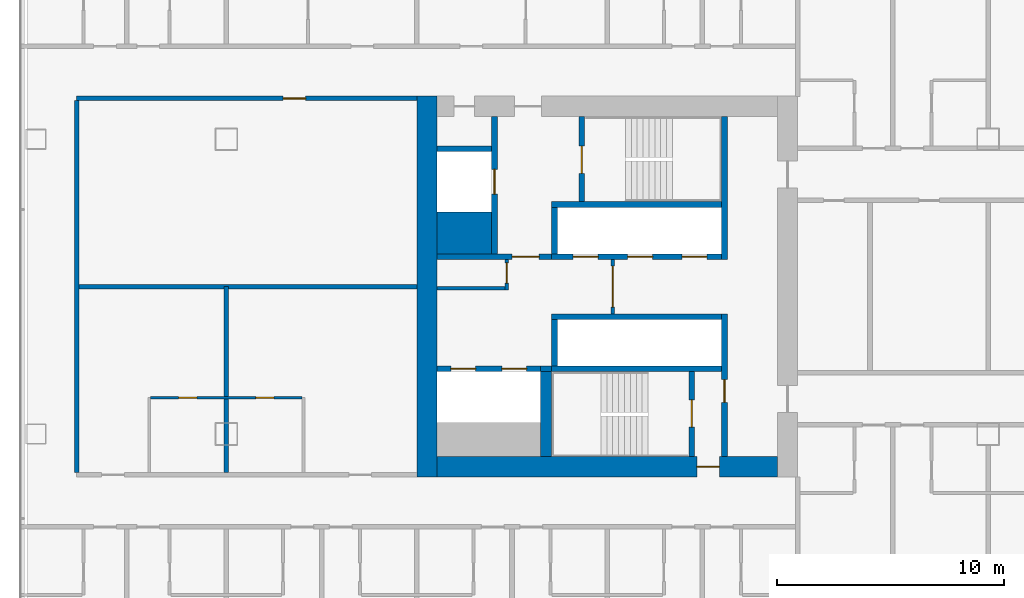
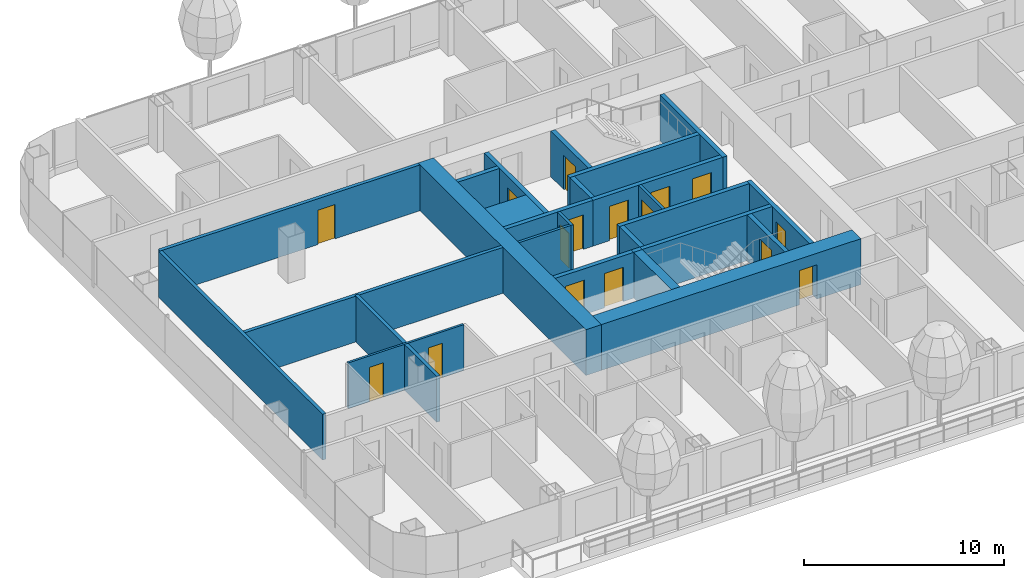
# One storey, part 14 of 37: 27 walls, 16 doors, 16 openings.
"""IFC4 building model written with IfcOpenShell, lengths in metres."""

from ifc_helpers import new_model, si_unit, direction, frame, frame_2d, origin, place, context, subcontext, project, spatial, rectangle, extrude, material, layer, layer_set, type_object, element, fill, save


model = new_model("IFC4")

# Units and contexts
model_context = context("Model", 3, precision=1e-05, world=origin(), true_north=direction((0.0, 1.0)))
body_context = subcontext(model_context, "Body", "Model", "MODEL_VIEW")
ifc_project = project(units=[si_unit("LENGTHUNIT", "METRE"), si_unit("AREAUNIT", "SQUARE_METRE"), si_unit("VOLUMEUNIT", "CUBIC_METRE"), si_unit("PLANEANGLEUNIT", "RADIAN"), si_unit("MASSUNIT", "GRAM", prefix="KILO")], contexts=[model_context])

# Site, building, storey
site_placement = place(None, origin())
site = spatial("IfcSite", under=ifc_project, at=site_placement, CompositionType="ELEMENT")
building_placement = place(site_placement, origin())
building = spatial("IfcBuilding", under=site, at=building_placement, Name="Hakoniwa Tower and Hamabe Station Hall", CompositionType="ELEMENT")
storey_placement = place(building_placement, frame((0.0, 0.0, 39.0)))
storey = spatial("IfcBuildingStorey", under=building, at=storey_placement, Name="L10", CompositionType="ELEMENT", Elevation=39.0)

# Wall, openings, doors
ifc_material_1 = material(Name="Gypsum board partition", Category="gypsum")
ifc_layer_1 = layer(ifc_material_1, 0.125)
ifc_layer_set_1 = layer_set([ifc_layer_1], Name="Bathroom Partition 125")
wall_type_1 = type_object("IfcWallType", Name="Bathroom Partition 125", PredefinedType="PARTITIONING", material=ifc_layer_set_1)
wall_1_placement = place(storey_placement, frame((-45.33740234375, -4.89990234375, 0.0), z_axis=(0.0, 0.0, 1.0), x_axis=(1.0, 0.0, 0.0)))
wall_1 = element("IfcWall", 1, at=wall_1_placement, inside=storey, type_object=wall_type_1, Name="GW-L10-023", PredefinedType="PARTITIONING", context=body_context, shape_type="SweptSolid", body=[
    extrude(rectangle(XDim=6.6748046875, YDim=0.125, at=frame_2d((3.33740234375, 0.0))), origin(), (0.0, 0.0, 1.0), 2.800048828125),
])
opening_1_placement = place(wall_1_placement, frame((1.237548828125, 0.0, 0.0)))
opening_1 = element("IfcOpeningElement", 2, at=opening_1_placement, cuts=wall_1, Name="Opening GD-G1B1-31", PredefinedType="OPENING", context=body_context, shape_type="SweptSolid", body=[
    extrude(rectangle(XDim=0.800048828125, YDim=2.10009765625, at=frame_2d((0.39990234375, 1.050048828125))), frame((0.0, 0.072509765625, 0.0), z_axis=(0.0, -1.0, 0.0), x_axis=(1.0, 0.0, 0.0)), (0.0, 0.0, 1.0), 0.14501953125),
])
opening_2_placement = place(wall_1_placement, frame((4.637451171875, 0.0, 0.0)))
opening_2 = element("IfcOpeningElement", 3, at=opening_2_placement, cuts=wall_1, Name="Opening GD-G1B1-32", PredefinedType="OPENING", context=body_context, shape_type="SweptSolid", body=[
    extrude(rectangle(XDim=0.800048828125, YDim=2.10009765625, at=frame_2d((0.39990234375, 1.050048828125))), frame((0.0, 0.072509765625, 0.0), z_axis=(0.0, -1.0, 0.0), x_axis=(1.0, 0.0, 0.0)), (0.0, 0.0, 1.0), 0.14501953125),
])
ifc_material_2 = material(Name="Timber door leaf", Category="wood")
door_type_1 = type_object("IfcDoorType", Name="Bathroom Door 800", OperationType="SINGLE_SWING_LEFT", PredefinedType="DOOR", material=ifc_material_2)
door_1_placement = place(opening_1_placement, origin())
door_1 = element("IfcDoor", 4, at=door_1_placement, inside=storey, type_object=door_type_1, Name="Door GD-G1B1-31", OperationType="SINGLE_SWING_LEFT", OverallHeight=2.10009765625, OverallWidth=0.800048828125, PredefinedType="DOOR", context=body_context, shape_type="SweptSolid", body=[
    extrude(rectangle(XDim=0.800048828125, YDim=2.10009765625, at=frame_2d((0.39990234375, 1.050048828125))), frame((0.0, 0.02490234375, 0.0), z_axis=(0.0, -1.0, 0.0), x_axis=(1.0, 0.0, 0.0)), (0.0, 0.0, 1.0), 0.050048828125),
])
fill(opening_1, door_1)
door_2_placement = place(opening_2_placement, origin())
door_2 = element("IfcDoor", 5, at=door_2_placement, inside=storey, type_object=door_type_1, Name="Door GD-G1B1-32", OperationType="SINGLE_SWING_RIGHT", OverallHeight=2.10009765625, OverallWidth=0.800048828125, PredefinedType="DOOR", context=body_context, shape_type="SweptSolid", body=[
    extrude(rectangle(XDim=0.800048828125, YDim=2.10009765625, at=frame_2d((0.39990234375, 1.050048828125))), frame((0.0, 0.02490234375, 0.0), z_axis=(0.0, -1.0, 0.0), x_axis=(1.0, 0.0, 0.0)), (0.0, 0.0, 1.0), 0.050048828125),
])
fill(opening_2, door_2)

# Wall, opening, door
ifc_material_3 = material(Name="Gypsum board partition")
ifc_layer_2 = layer(ifc_material_3, 0.14990234375)
ifc_layer_set_2 = layer_set([ifc_layer_2], Name="CORE PARTITION 150 EI 60")
wall_type_2 = type_object("IfcWallType", Name="CORE PARTITION 150 EI 60", PredefinedType="PARTITIONING", material=ifc_layer_set_2)
wall_2_placement = place(storey_placement, frame((-24.949951171875, -1.199951171875, 0.0), z_axis=(0.0, 0.0, 1.0), x_axis=(0.0, 1.0, 0.0)))
wall_2 = element("IfcWall", 6, at=wall_2_placement, inside=storey, type_object=wall_type_2, Name="Core partition PL0 west", PredefinedType="PARTITIONING", context=body_context, shape_type="SweptSolid", body=[
    extrude(rectangle(XDim=2.39990234375, YDim=0.14990234375, at=frame_2d((1.199951171875, 0.0))), origin(), (0.0, 0.0, 1.0), 2.800048828125),
])
opening_3_placement = place(wall_2_placement, frame((0.300048828125, 0.0, 0.0)))
opening_3 = element("IfcOpeningElement", 7, at=opening_3_placement, cuts=wall_2, Name="Opening CD-W-LP0-18", PredefinedType="OPENING", context=body_context, shape_type="SweptSolid", body=[
    extrude(rectangle(XDim=1.800048828125, YDim=2.10009765625, at=frame_2d((0.89990234375, 1.050048828125))), frame((0.0, 0.0849609375, 0.0), z_axis=(0.0, -1.0, 0.0), x_axis=(1.0, 0.0, 0.0)), (0.0, 0.0, 1.0), 0.169921875),
])
ifc_material_4 = material(Name="Steel fire door", Category="steel")
door_type_2 = type_object("IfcDoorType", Name="CORE DOOR 1800 FD60", OperationType="DOUBLE_DOOR_SINGLE_SWING", PredefinedType="DOOR", material=ifc_material_4)
door_3_placement = place(opening_3_placement, origin())
door_3 = element("IfcDoor", 8, at=door_3_placement, inside=storey, type_object=door_type_2, Name="Lift lobby partition door", OperationType="DOUBLE_DOOR_SINGLE_SWING", OverallHeight=2.10009765625, OverallWidth=1.800048828125, PredefinedType="DOOR", context=body_context, shape_type="SweptSolid", body=[
    extrude(rectangle(XDim=1.800048828125, YDim=2.10009765625, at=frame_2d((0.89990234375, 1.050048828125))), frame((0.0, 0.02490234375, 0.0), z_axis=(0.0, -1.0, 0.0), x_axis=(1.0, 0.0, 0.0)), (0.0, 0.0, 1.0), 0.050048828125),
])
fill(opening_3, door_3)

wall_3_placement = place(storey_placement, frame((-29.625, -0.14990234375, 0.0), z_axis=(0.0, 0.0, 1.0), x_axis=(0.0, 1.0, 0.0)))
wall_3 = element("IfcWall", 9, at=wall_3_placement, inside=storey, type_object=wall_type_2, Name="Core partition PW0 west", PredefinedType="PARTITIONING", context=body_context, shape_type="SweptSolid", body=[
    extrude(rectangle(XDim=1.349853515625, YDim=0.14990234375, at=frame_2d((0.6748046875, 0.0))), origin(), (0.0, 0.0, 1.0), 2.800048828125),
])
opening_4_placement = place(wall_3_placement, frame((0.300048828125, 0.0, 0.0)))
opening_4 = element("IfcOpeningElement", 10, at=opening_4_placement, cuts=wall_3, Name="Opening CD-W-RM1-9", PredefinedType="OPENING", context=body_context, shape_type="SweptSolid", body=[
    extrude(rectangle(XDim=0.89990234375, YDim=2.10009765625, at=frame_2d((0.449951171875, 1.050048828125))), frame((0.0, 0.0849609375, 0.0), z_axis=(0.0, -1.0, 0.0), x_axis=(1.0, 0.0, 0.0)), (0.0, 0.0, 1.0), 0.169921875),
])
ifc_material_5 = material(Name="Steel fire door", Category="steel")
door_type_3 = type_object("IfcDoorType", Name="CORE DOOR 900 FD30", OperationType="NOTDEFINED", PredefinedType="DOOR", material=ifc_material_5)
door_4_placement = place(opening_4_placement, origin())
door_4 = element("IfcDoor", 11, at=door_4_placement, inside=storey, type_object=door_type_3, Name="Store room door", OperationType="SINGLE_SWING_LEFT", OverallHeight=2.10009765625, OverallWidth=0.89990234375, PredefinedType="DOOR", context=body_context, shape_type="SweptSolid", body=[
    extrude(rectangle(XDim=0.89990234375, YDim=2.10009765625, at=frame_2d((0.449951171875, 1.050048828125))), frame((0.0, 0.02490234375, 0.0), z_axis=(0.0, -1.0, 0.0), x_axis=(1.0, 0.0, 0.0)), (0.0, 0.0, 1.0), 0.050048828125),
])
fill(opening_4, door_4)

# Walls
wall_4_placement = place(storey_placement, frame((-32.699951171875, -0.074951171875, 0.0), z_axis=(0.0, 0.0, 1.0), x_axis=(1.0, 0.0, 0.0)))
element("IfcWall", 12, at=wall_4_placement, inside=storey, type_object=wall_type_2, Name="Core partition PS west", PredefinedType="PARTITIONING", context=body_context, shape_type="SweptSolid", body=[
    extrude(rectangle(XDim=3.0, YDim=0.14990234375, at=frame_2d((1.5, 0.0))), origin(), (0.0, 0.0, 1.0), 2.800048828125),
])
ifc_material_6 = material(Name="Concrete C80", Category="concrete")
ifc_layer_3 = layer(ifc_material_6, 0.89990234375)
ifc_layer_set_3 = layer_set([ifc_layer_3], Name="CORE WALL 900 C80")
wall_type_3 = type_object("IfcWallType", Name="CORE WALL 900 C80", PredefinedType="SHEAR", material=ifc_layer_set_3)
wall_5_placement = place(storey_placement, frame((-33.14990234375, -8.39990234375, 0.0), z_axis=(0.0, 0.0, 1.0), x_axis=(0.0, 1.0, 0.0)))
element("IfcWall", 13, at=wall_5_placement, inside=storey, type_object=wall_type_3, Name="Core wall OUTER west", PredefinedType="SHEAR", context=body_context, shape_type="SweptSolid", body=[
    extrude(rectangle(XDim=16.7998046875, YDim=0.89990234375, at=frame_2d((8.39990234375, 0.0))), origin(), (0.0, 0.0, 1.0), 2.800048828125),
])

# Wall, opening, door
wall_6_placement = place(storey_placement, frame((-32.699951171875, -7.949951171875, 0.0), z_axis=(0.0, 0.0, 1.0), x_axis=(1.0, 0.0, 0.0)))
wall_6 = element("IfcWall", 14, at=wall_6_placement, inside=storey, type_object=wall_type_3, Name="Core wall SOUTH west", PredefinedType="SHEAR", context=body_context, shape_type="SweptSolid", body=[
    extrude(rectangle(XDim=15.0, YDim=0.89990234375, at=frame_2d((7.5, 0.0))), origin(), (0.0, 0.0, 1.0), 2.800048828125),
])
opening_5_placement = place(wall_6_placement, frame((11.449951171875, 0.0, 0.0)))
opening_5 = element("IfcOpeningElement", 15, at=opening_5_placement, cuts=wall_6, Name="Opening CD-W-FS3-10", PredefinedType="OPENING", context=body_context, shape_type="SweptSolid", body=[
    extrude(rectangle(XDim=1.0, YDim=2.10009765625, at=frame_2d((0.5, 1.050048828125))), frame((0.0, 0.4599609375, 0.0), z_axis=(0.0, -1.0, 0.0), x_axis=(1.0, 0.0, 0.0)), (0.0, 0.0, 1.0), 0.919921875),
])
ifc_material_7 = material(Name="Steel fire door", Category="steel")
door_type_4 = type_object("IfcDoorType", Name="CORE DOOR 1000 FD60", OperationType="NOTDEFINED", PredefinedType="DOOR", material=ifc_material_7)
door_5_placement = place(opening_5_placement, origin())
door_5 = element("IfcDoor", 16, at=door_5_placement, inside=storey, type_object=door_type_4, Name="Stair vestibule door", OperationType="SINGLE_SWING_RIGHT", OverallHeight=2.10009765625, OverallWidth=1.0, PredefinedType="DOOR", context=body_context, shape_type="SweptSolid", body=[
    extrude(rectangle(XDim=1.0, YDim=2.10009765625, at=frame_2d((0.5, 1.050048828125))), frame((0.0, 0.02490234375, 0.0), z_axis=(0.0, -1.0, 0.0), x_axis=(1.0, 0.0, 0.0)), (0.0, 0.0, 1.0), 0.050048828125),
])
fill(opening_5, door_5)

# Walls
ifc_material_8 = material(Name="Concrete C80", Category="concrete")
ifc_layer_4 = layer(ifc_material_8, 1.85009765625)
ifc_layer_set_4 = layer_set([ifc_layer_4], Name="CORE WEB WALL 1850 C80")
wall_type_4 = type_object("IfcWallType", Name="CORE WEB WALL 1850 C80", PredefinedType="SHEAR", material=ifc_layer_set_4)
wall_7_placement = place(storey_placement, frame((-32.699951171875, 2.375, 0.0), z_axis=(0.0, 0.0, 1.0), x_axis=(1.0, 0.0, 0.0)))
element("IfcWall", 17, at=wall_7_placement, inside=storey, type_object=wall_type_4, Name="Core wall CA west", PredefinedType="SHEAR", context=body_context, shape_type="SweptSolid", body=[
    extrude(rectangle(XDim=2.39990234375, YDim=1.85009765625, at=frame_2d((1.199951171875, 0.0))), origin(), (0.0, 0.0, 1.0), 2.800048828125),
])
ifc_material_9 = material(Name="Concrete C80", Category="concrete")
ifc_layer_5 = layer(ifc_material_9, 0.25)
ifc_layer_set_5 = layer_set([ifc_layer_5], Name="CORE WEB WALL 250 C80")
wall_type_5 = type_object("IfcWallType", Name="CORE WEB WALL 250 C80", PredefinedType="SHEAR", material=ifc_layer_set_5)
wall_8_placement = place(storey_placement, frame((-20.02490234375, 1.199951171875, 0.0), z_axis=(0.0, 0.0, 1.0), x_axis=(0.0, 1.0, 0.0)))
element("IfcWall", 18, at=wall_8_placement, inside=storey, type_object=wall_type_5, Name="Core wall W1N west", PredefinedType="SHEAR", context=body_context, shape_type="SweptSolid", body=[
    extrude(rectangle(XDim=6.300048828125, YDim=0.25, at=frame_2d((3.14990234375, 0.0))), origin(), (0.0, 0.0, 1.0), 2.800048828125),
])

# Wall, opening, door
wall_9_placement = place(storey_placement, frame((-20.02490234375, -7.5, 0.0), z_axis=(0.0, 0.0, 1.0), x_axis=(0.0, 1.0, 0.0)))
wall_9 = element("IfcWall", 19, at=wall_9_placement, inside=storey, type_object=wall_type_5, Name="Core wall W1S west", PredefinedType="SHEAR", context=body_context, shape_type="SweptSolid", body=[
    extrude(rectangle(XDim=6.300048828125, YDim=0.25, at=frame_2d((3.14990234375, 0.0))), origin(), (0.0, 0.0, 1.0), 2.800048828125),
])
opening_6_placement = place(wall_9_placement, frame((2.39990234375, 0.0, 0.0)))
opening_6 = element("IfcOpeningElement", 20, at=opening_6_placement, cuts=wall_9, Name="Opening CD-W-VS-10", PredefinedType="OPENING", context=body_context, shape_type="SweptSolid", body=[
    extrude(rectangle(XDim=1.0, YDim=2.10009765625, at=frame_2d((0.5, 1.050048828125))), frame((0.0, 0.135009765625, 0.0), z_axis=(0.0, -1.0, 0.0), x_axis=(1.0, 0.0, 0.0)), (0.0, 0.0, 1.0), 0.27001953125),
])
door_6_placement = place(opening_6_placement, origin())
door_6 = element("IfcDoor", 21, at=door_6_placement, inside=storey, type_object=door_type_4, Name="Stair vestibule door", OperationType="SINGLE_SWING_LEFT", OverallHeight=2.10009765625, OverallWidth=1.0, PredefinedType="DOOR", context=body_context, shape_type="SweptSolid", body=[
    extrude(rectangle(XDim=1.0, YDim=2.10009765625, at=frame_2d((0.5, 1.050048828125))), frame((0.0, 0.02490234375, 0.0), z_axis=(0.0, -1.0, 0.0), x_axis=(1.0, 0.0, 0.0)), (0.0, 0.0, 1.0), 0.050048828125),
])
fill(opening_6, door_6)

# Wall, openings, doors
wall_10_placement = place(storey_placement, frame((-27.64990234375, 1.324951171875, 0.0), z_axis=(0.0, 0.0, 1.0), x_axis=(1.0, 0.0, 0.0)))
wall_10 = element("IfcWall", 22, at=wall_10_placement, inside=storey, type_object=wall_type_5, Name="Core wall NF west", PredefinedType="SHEAR", context=body_context, shape_type="SweptSolid", body=[
    extrude(rectangle(XDim=7.5, YDim=0.25, at=frame_2d((3.75, 0.0))), origin(), (0.0, 0.0, 1.0), 2.800048828125),
])
opening_7_placement = place(wall_10_placement, frame((5.75, 0.0, 0.0)))
opening_7 = element("IfcOpeningElement", 23, at=opening_7_placement, cuts=wall_10, Name="Opening LD-LR1", PredefinedType="OPENING", context=body_context, shape_type="SweptSolid", body=[
    extrude(rectangle(XDim=1.10009765625, YDim=2.10009765625, at=frame_2d((0.550048828125, 1.050048828125))), frame((0.0, 0.135009765625, 0.0), z_axis=(0.0, -1.0, 0.0), x_axis=(1.0, 0.0, 0.0)), (0.0, 0.0, 1.0), 0.27001953125),
])
opening_8_placement = place(wall_10_placement, frame((3.35009765625, 0.0, 0.0)))
opening_8 = element("IfcOpeningElement", 24, at=opening_8_placement, cuts=wall_10, Name="Opening LD-LR2", PredefinedType="OPENING", context=body_context, shape_type="SweptSolid", body=[
    extrude(rectangle(XDim=1.10009765625, YDim=2.10009765625, at=frame_2d((0.550048828125, 1.050048828125))), frame((0.0, 0.135009765625, 0.0), z_axis=(0.0, -1.0, 0.0), x_axis=(1.0, 0.0, 0.0)), (0.0, 0.0, 1.0), 0.27001953125),
])
opening_9_placement = place(wall_10_placement, frame((0.949951171875, 0.0, 0.0)))
opening_9 = element("IfcOpeningElement", 25, at=opening_9_placement, cuts=wall_10, Name="Opening LD-LR3", PredefinedType="OPENING", context=body_context, shape_type="SweptSolid", body=[
    extrude(rectangle(XDim=1.10009765625, YDim=2.10009765625, at=frame_2d((0.550048828125, 1.050048828125))), frame((0.0, 0.135009765625, 0.0), z_axis=(0.0, -1.0, 0.0), x_axis=(1.0, 0.0, 0.0)), (0.0, 0.0, 1.0), 0.27001953125),
])
ifc_material_10 = material(Name="Stainless steel SUS304", Category="steel")
door_type_5 = type_object("IfcDoorType", Name="LIFT LANDING DOOR 1100 FD60", OperationType="DOUBLE_DOOR_SLIDING", PredefinedType="DOOR", material=ifc_material_10)
door_7_placement = place(opening_7_placement, origin())
door_7 = element("IfcDoor", 26, at=door_7_placement, inside=storey, type_object=door_type_5, Name="Lift landing door LR1 L10", OperationType="DOUBLE_DOOR_SLIDING", OverallHeight=2.10009765625, OverallWidth=1.10009765625, PredefinedType="DOOR", context=body_context, shape_type="SweptSolid", body=[
    extrude(rectangle(XDim=1.10009765625, YDim=2.10009765625, at=frame_2d((0.550048828125, 1.050048828125))), frame((0.0, 0.02490234375, 0.0), z_axis=(0.0, -1.0, 0.0), x_axis=(1.0, 0.0, 0.0)), (0.0, 0.0, 1.0), 0.050048828125),
])
fill(opening_7, door_7)
door_8_placement = place(opening_8_placement, origin())
door_8 = element("IfcDoor", 27, at=door_8_placement, inside=storey, type_object=door_type_5, Name="Lift landing door LR2 L10", OperationType="DOUBLE_DOOR_SLIDING", OverallHeight=2.10009765625, OverallWidth=1.10009765625, PredefinedType="DOOR", context=body_context, shape_type="SweptSolid", body=[
    extrude(rectangle(XDim=1.10009765625, YDim=2.10009765625, at=frame_2d((0.550048828125, 1.050048828125))), frame((0.0, 0.02490234375, 0.0), z_axis=(0.0, -1.0, 0.0), x_axis=(1.0, 0.0, 0.0)), (0.0, 0.0, 1.0), 0.050048828125),
])
fill(opening_8, door_8)
door_9_placement = place(opening_9_placement, origin())
door_9 = element("IfcDoor", 28, at=door_9_placement, inside=storey, type_object=door_type_5, Name="Lift landing door LR3 L10", OperationType="DOUBLE_DOOR_SLIDING", OverallHeight=2.10009765625, OverallWidth=1.10009765625, PredefinedType="DOOR", context=body_context, shape_type="SweptSolid", body=[
    extrude(rectangle(XDim=1.10009765625, YDim=2.10009765625, at=frame_2d((0.550048828125, 1.050048828125))), frame((0.0, 0.02490234375, 0.0), z_axis=(0.0, -1.0, 0.0), x_axis=(1.0, 0.0, 0.0)), (0.0, 0.0, 1.0), 0.050048828125),
])
fill(opening_9, door_9)

# Walls
wall_11_placement = place(storey_placement, frame((-27.52490234375, 1.449951171875, 0.0), z_axis=(0.0, 0.0, 1.0), x_axis=(0.0, 1.0, 0.0)))
element("IfcWall", 29, at=wall_11_placement, inside=storey, type_object=wall_type_5, Name="Core wall NE west", PredefinedType="SHEAR", context=body_context, shape_type="SweptSolid", body=[
    extrude(rectangle(XDim=2.050048828125, YDim=0.25, at=frame_2d((1.02490234375, 0.0))), origin(), (0.0, 0.0, 1.0), 2.800048828125),
])
wall_12_placement = place(storey_placement, frame((-27.64990234375, 3.625, 0.0), z_axis=(0.0, 0.0, 1.0), x_axis=(1.0, 0.0, 0.0)))
element("IfcWall", 30, at=wall_12_placement, inside=storey, type_object=wall_type_5, Name="Core wall NR west", PredefinedType="SHEAR", context=body_context, shape_type="SweptSolid", body=[
    extrude(rectangle(XDim=7.5, YDim=0.25, at=frame_2d((3.75, 0.0))), origin(), (0.0, 0.0, 1.0), 2.800048828125),
])

# Wall, opening, door
wall_13_placement = place(storey_placement, frame((-26.324951171875, 3.75, 0.0), z_axis=(0.0, 0.0, 1.0), x_axis=(0.0, 1.0, 0.0)))
wall_13 = element("IfcWall", 31, at=wall_13_placement, inside=storey, type_object=wall_type_5, Name="Core wall NSE west", PredefinedType="SHEAR", context=body_context, shape_type="SweptSolid", body=[
    extrude(rectangle(XDim=3.75, YDim=0.25, at=frame_2d((1.875, 0.0))), origin(), (0.0, 0.0, 1.0), 2.800048828125),
])
opening_10_placement = place(wall_13_placement, frame((1.25, 0.0, 0.0)))
opening_10 = element("IfcOpeningElement", 32, at=opening_10_placement, cuts=wall_13, Name="Opening CD-W-SN-12", PredefinedType="OPENING", context=body_context, shape_type="SweptSolid", body=[
    extrude(rectangle(XDim=1.199951171875, YDim=2.10009765625, at=frame_2d((0.60009765625, 1.050048828125))), frame((0.0, 0.135009765625, 0.0), z_axis=(0.0, -1.0, 0.0), x_axis=(1.0, 0.0, 0.0)), (0.0, 0.0, 1.0), 0.27001953125),
])
ifc_material_11 = material(Name="Steel fire door", Category="steel")
door_type_6 = type_object("IfcDoorType", Name="CORE DOOR 1200 FD60", OperationType="DOUBLE_DOOR_SINGLE_SWING", PredefinedType="DOOR", material=ifc_material_11)
door_10_placement = place(opening_10_placement, origin())
door_10 = element("IfcDoor", 33, at=door_10_placement, inside=storey, type_object=door_type_6, Name="Escape stair door", OperationType="DOUBLE_DOOR_SINGLE_SWING", OverallHeight=2.10009765625, OverallWidth=1.199951171875, PredefinedType="DOOR", context=body_context, shape_type="SweptSolid", body=[
    extrude(rectangle(XDim=1.199951171875, YDim=2.10009765625, at=frame_2d((0.60009765625, 1.050048828125))), frame((0.0, 0.02490234375, 0.0), z_axis=(0.0, -1.0, 0.0), x_axis=(1.0, 0.0, 0.0)), (0.0, 0.0, 1.0), 0.050048828125),
])
fill(opening_10, door_10)

wall_14_placement = place(storey_placement, frame((-32.699951171875, 1.324951171875, 0.0), z_axis=(0.0, 0.0, 1.0), x_axis=(1.0, 0.0, 0.0)))
wall_14 = element("IfcWall", 34, at=wall_14_placement, inside=storey, type_object=wall_type_5, Name="Core wall ELN west", PredefinedType="SHEAR", context=body_context, shape_type="SweptSolid", body=[
    extrude(rectangle(XDim=5.050048828125, YDim=0.25, at=frame_2d((2.52490234375, 0.0))), origin(), (0.0, 0.0, 1.0), 2.800048828125),
])
opening_11_placement = place(wall_14_placement, frame((3.300048828125, 0.0, 0.0)))
opening_11 = element("IfcOpeningElement", 35, at=opening_11_placement, cuts=wall_14, Name="Opening CD-W-FL-12", PredefinedType="OPENING", context=body_context, shape_type="SweptSolid", body=[
    extrude(rectangle(XDim=1.199951171875, YDim=2.10009765625, at=frame_2d((0.60009765625, 1.050048828125))), frame((0.0, 0.135009765625, 0.0), z_axis=(0.0, -1.0, 0.0), x_axis=(1.0, 0.0, 0.0)), (0.0, 0.0, 1.0), 0.27001953125),
])
door_11_placement = place(opening_11_placement, origin())
door_11 = element("IfcDoor", 36, at=door_11_placement, inside=storey, type_object=door_type_6, Name="Stair vestibule door to the fire-fighting lobby", OperationType="DOUBLE_DOOR_SINGLE_SWING", OverallHeight=2.10009765625, OverallWidth=1.199951171875, PredefinedType="DOOR", context=body_context, shape_type="SweptSolid", body=[
    extrude(rectangle(XDim=1.199951171875, YDim=2.10009765625, at=frame_2d((0.60009765625, 1.050048828125))), frame((0.0, 0.02490234375, 0.0), z_axis=(0.0, -1.0, 0.0), x_axis=(1.0, 0.0, 0.0)), (0.0, 0.0, 1.0), 0.050048828125),
])
fill(opening_11, door_11)

wall_15_placement = place(storey_placement, frame((-30.175048828125, 1.449951171875, 0.0), z_axis=(0.0, 0.0, 1.0), x_axis=(0.0, 1.0, 0.0)))
wall_15 = element("IfcWall", 37, at=wall_15_placement, inside=storey, type_object=wall_type_5, Name="Core wall FFF west", PredefinedType="SHEAR", context=body_context, shape_type="SweptSolid", body=[
    extrude(rectangle(XDim=6.050048828125, YDim=0.25, at=frame_2d((3.02490234375, 0.0))), origin(), (0.0, 0.0, 1.0), 2.800048828125),
])
opening_12_placement = place(wall_15_placement, frame((2.625, 0.0, 0.0)))
opening_12 = element("IfcOpeningElement", 38, at=opening_12_placement, cuts=wall_15, Name="Opening LD-FF1", PredefinedType="OPENING", context=body_context, shape_type="SweptSolid", body=[
    extrude(rectangle(XDim=1.10009765625, YDim=2.10009765625, at=frame_2d((0.550048828125, 1.050048828125))), frame((0.0, 0.135009765625, 0.0), z_axis=(0.0, -1.0, 0.0), x_axis=(1.0, 0.0, 0.0)), (0.0, 0.0, 1.0), 0.27001953125),
])
door_12_placement = place(opening_12_placement, origin())
door_12 = element("IfcDoor", 39, at=door_12_placement, inside=storey, type_object=door_type_5, Name="Lift landing door FF1 L10", OperationType="DOUBLE_DOOR_SLIDING", OverallHeight=2.10009765625, OverallWidth=1.10009765625, PredefinedType="DOOR", context=body_context, shape_type="SweptSolid", body=[
    extrude(rectangle(XDim=1.10009765625, YDim=2.10009765625, at=frame_2d((0.550048828125, 1.050048828125))), frame((0.0, 0.02490234375, 0.0), z_axis=(0.0, -1.0, 0.0), x_axis=(1.0, 0.0, 0.0)), (0.0, 0.0, 1.0), 0.050048828125),
])
fill(opening_12, door_12)

# Walls
wall_16_placement = place(storey_placement, frame((-32.699951171875, 6.074951171875, 0.0), z_axis=(0.0, 0.0, 1.0), x_axis=(1.0, 0.0, 0.0)))
element("IfcWall", 40, at=wall_16_placement, inside=storey, type_object=wall_type_5, Name="Core wall C2 west", PredefinedType="SHEAR", context=body_context, shape_type="SweptSolid", body=[
    extrude(rectangle(XDim=2.39990234375, YDim=0.25, at=frame_2d((1.199951171875, 0.0))), origin(), (0.0, 0.0, 1.0), 2.800048828125),
])
wall_17_placement = place(storey_placement, frame((-27.64990234375, -1.324951171875, 0.0), z_axis=(0.0, 0.0, 1.0), x_axis=(1.0, 0.0, 0.0)))
element("IfcWall", 41, at=wall_17_placement, inside=storey, type_object=wall_type_5, Name="Core wall SF west", PredefinedType="SHEAR", context=body_context, shape_type="SweptSolid", body=[
    extrude(rectangle(XDim=7.5, YDim=0.25, at=frame_2d((3.75, 0.0))), origin(), (0.0, 0.0, 1.0), 2.800048828125),
])
wall_18_placement = place(storey_placement, frame((-27.52490234375, -3.5, 0.0), z_axis=(0.0, 0.0, 1.0), x_axis=(0.0, 1.0, 0.0)))
element("IfcWall", 42, at=wall_18_placement, inside=storey, type_object=wall_type_5, Name="Core wall SE west", PredefinedType="SHEAR", context=body_context, shape_type="SweptSolid", body=[
    extrude(rectangle(XDim=2.050048828125, YDim=0.25, at=frame_2d((1.02490234375, 0.0))), origin(), (0.0, 0.0, 1.0), 2.800048828125),
])
wall_19_placement = place(storey_placement, frame((-27.64990234375, -3.625, 0.0), z_axis=(0.0, 0.0, 1.0), x_axis=(1.0, 0.0, 0.0)))
element("IfcWall", 43, at=wall_19_placement, inside=storey, type_object=wall_type_5, Name="Core wall SR west", PredefinedType="SHEAR", context=body_context, shape_type="SweptSolid", body=[
    extrude(rectangle(XDim=7.5, YDim=0.25, at=frame_2d((3.75, 0.0))), origin(), (0.0, 0.0, 1.0), 2.800048828125),
])

# Wall, opening, door
wall_20_placement = place(storey_placement, frame((-21.47509765625, -7.5, 0.0), z_axis=(0.0, 0.0, 1.0), x_axis=(0.0, 1.0, 0.0)))
wall_20 = element("IfcWall", 44, at=wall_20_placement, inside=storey, type_object=wall_type_5, Name="Core wall VE west", PredefinedType="SHEAR", context=body_context, shape_type="SweptSolid", body=[
    extrude(rectangle(XDim=3.75, YDim=0.25, at=frame_2d((1.875, 0.0))), origin(), (0.0, 0.0, 1.0), 2.800048828125),
])
opening_13_placement = place(wall_20_placement, frame((1.300048828125, 0.0, 0.0)))
opening_13 = element("IfcOpeningElement", 45, at=opening_13_placement, cuts=wall_20, Name="Opening CD-W-SS-12", PredefinedType="OPENING", context=body_context, shape_type="SweptSolid", body=[
    extrude(rectangle(XDim=1.199951171875, YDim=2.10009765625, at=frame_2d((0.60009765625, 1.050048828125))), frame((0.0, 0.135009765625, 0.0), z_axis=(0.0, -1.0, 0.0), x_axis=(1.0, 0.0, 0.0)), (0.0, 0.0, 1.0), 0.27001953125),
])
door_13_placement = place(opening_13_placement, origin())
door_13 = element("IfcDoor", 46, at=door_13_placement, inside=storey, type_object=door_type_6, Name="Escape stair door", OperationType="DOUBLE_DOOR_SINGLE_SWING", OverallHeight=2.10009765625, OverallWidth=1.199951171875, PredefinedType="DOOR", context=body_context, shape_type="SweptSolid", body=[
    extrude(rectangle(XDim=1.199951171875, YDim=2.10009765625, at=frame_2d((0.60009765625, 1.050048828125))), frame((0.0, 0.02490234375, 0.0), z_axis=(0.0, -1.0, 0.0), x_axis=(1.0, 0.0, 0.0)), (0.0, 0.0, 1.0), 0.050048828125),
])
fill(opening_13, door_13)

# Wall, openings, doors
wall_21_placement = place(storey_placement, frame((-32.699951171875, -3.625, 0.0), z_axis=(0.0, 0.0, 1.0), x_axis=(1.0, 0.0, 0.0)))
wall_21 = element("IfcWall", 47, at=wall_21_placement, inside=storey, type_object=wall_type_5, Name="Core wall SEF west", PredefinedType="SHEAR", context=body_context, shape_type="SweptSolid", body=[
    extrude(rectangle(XDim=4.550048828125, YDim=0.25, at=frame_2d((2.27490234375, 0.0))), origin(), (0.0, 0.0, 1.0), 2.800048828125),
])
opening_14_placement = place(wall_21_placement, frame((2.85009765625, 0.0, 0.0)))
opening_14 = element("IfcOpeningElement", 48, at=opening_14_placement, cuts=wall_21, Name="Opening LD-SV1", PredefinedType="OPENING", context=body_context, shape_type="SweptSolid", body=[
    extrude(rectangle(XDim=1.10009765625, YDim=2.10009765625, at=frame_2d((0.550048828125, 1.050048828125))), frame((0.0, 0.135009765625, 0.0), z_axis=(0.0, -1.0, 0.0), x_axis=(1.0, 0.0, 0.0)), (0.0, 0.0, 1.0), 0.27001953125),
])
opening_15_placement = place(wall_21_placement, frame((0.60009765625, 0.0, 0.0)))
opening_15 = element("IfcOpeningElement", 49, at=opening_15_placement, cuts=wall_21, Name="Opening LD-SV2", PredefinedType="OPENING", context=body_context, shape_type="SweptSolid", body=[
    extrude(rectangle(XDim=1.10009765625, YDim=2.10009765625, at=frame_2d((0.550048828125, 1.050048828125))), frame((0.0, 0.135009765625, 0.0), z_axis=(0.0, -1.0, 0.0), x_axis=(1.0, 0.0, 0.0)), (0.0, 0.0, 1.0), 0.27001953125),
])
door_14_placement = place(opening_14_placement, origin())
door_14 = element("IfcDoor", 50, at=door_14_placement, inside=storey, type_object=door_type_5, Name="Lift landing door SV1 L10", OperationType="DOUBLE_DOOR_SLIDING", OverallHeight=2.10009765625, OverallWidth=1.10009765625, PredefinedType="DOOR", context=body_context, shape_type="SweptSolid", body=[
    extrude(rectangle(XDim=1.10009765625, YDim=2.10009765625, at=frame_2d((0.550048828125, 1.050048828125))), frame((0.0, 0.02490234375, 0.0), z_axis=(0.0, -1.0, 0.0), x_axis=(1.0, 0.0, 0.0)), (0.0, 0.0, 1.0), 0.050048828125),
])
fill(opening_14, door_14)
door_15_placement = place(opening_15_placement, origin())
door_15 = element("IfcDoor", 51, at=door_15_placement, inside=storey, type_object=door_type_5, Name="Lift landing door SV2 L10", OperationType="DOUBLE_DOOR_SLIDING", OverallHeight=2.10009765625, OverallWidth=1.10009765625, PredefinedType="DOOR", context=body_context, shape_type="SweptSolid", body=[
    extrude(rectangle(XDim=1.10009765625, YDim=2.10009765625, at=frame_2d((0.550048828125, 1.050048828125))), frame((0.0, 0.02490234375, 0.0), z_axis=(0.0, -1.0, 0.0), x_axis=(1.0, 0.0, 0.0)), (0.0, 0.0, 1.0), 0.050048828125),
])
fill(opening_15, door_15)

# Walls
wall_22_placement = place(storey_placement, frame((-28.14990234375, -3.625, 0.0), z_axis=(0.0, 0.0, 1.0), x_axis=(1.0, 0.0, 0.0)))
element("IfcWall", 52, at=wall_22_placement, inside=storey, type_object=wall_type_5, Name="Core wall SRK west", PredefinedType="SHEAR", context=body_context, shape_type="SweptSolid", body=[
    extrude(rectangle(XDim=0.5, YDim=0.25, at=frame_2d((0.25, 0.0))), origin(), (0.0, 0.0, 1.0), 2.800048828125),
])
ifc_material_12 = material(Name="Concrete C80", Category="concrete")
ifc_layer_6 = layer(ifc_material_12, 0.5)
ifc_layer_set_6 = layer_set([ifc_layer_6], Name="CORE WEB WALL 500 C80")
wall_type_6 = type_object("IfcWallType", Name="CORE WEB WALL 500 C80", PredefinedType="SHEAR", material=ifc_layer_set_6)
wall_23_placement = place(storey_placement, frame((-27.89990234375, -7.5, 0.0), z_axis=(0.0, 0.0, 1.0), x_axis=(0.0, 1.0, 0.0)))
element("IfcWall", 53, at=wall_23_placement, inside=storey, type_object=wall_type_6, Name="Core wall SSE west", PredefinedType="SHEAR", context=body_context, shape_type="SweptSolid", body=[
    extrude(rectangle(XDim=3.75, YDim=0.5, at=frame_2d((1.875, 0.0))), origin(), (0.0, 0.0, 1.0), 2.800048828125),
])

# Wall, opening, door
ifc_material_13 = material(Name="Fire-rated gypsum board partition", Category="gypsum")
ifc_layer_7 = layer(ifc_material_13, 0.199951171875)
ifc_layer_set_7 = layer_set([ifc_layer_7], Name="Corridor Wall 200")
wall_type_7 = type_object("IfcWallType", Name="Corridor Wall 200", PredefinedType="PARTITIONING", material=ifc_layer_set_7)
wall_24_placement = place(storey_placement, frame((-48.60009765625, 8.300048828125, 0.0), z_axis=(0.0, 0.0, 1.0), x_axis=(1.0, 0.0, 0.0)))
wall_24 = element("IfcWall", 54, at=wall_24_placement, inside=storey, type_object=wall_type_7, Name="GW-L10-031", PredefinedType="PARTITIONING", context=body_context, shape_type="SweptSolid", body=[
    extrude(rectangle(XDim=15.0, YDim=0.199951171875, at=frame_2d((7.5, 0.0))), origin(), (0.0, 0.0, 1.0), 2.800048828125),
])
opening_16_placement = place(wall_24_placement, frame((9.10009765625, 0.0, 0.0)))
opening_16 = element("IfcOpeningElement", 55, at=opening_16_placement, cuts=wall_24, Name="Opening GD-G1B1-51", PredefinedType="OPENING", context=body_context, shape_type="SweptSolid", body=[
    extrude(rectangle(XDim=1.0, YDim=2.10009765625, at=frame_2d((0.5, 1.050048828125))), frame((0.0, 0.10986328125, 0.0), z_axis=(0.0, -1.0, 0.0), x_axis=(1.0, 0.0, 0.0)), (0.0, 0.0, 1.0), 0.219970703125),
])
ifc_material_14 = material(Name="Timber door leaf", Category="wood")
door_type_7 = type_object("IfcDoorType", Name="Guest Entrance Door 1000", OperationType="SINGLE_SWING_LEFT", PredefinedType="DOOR", material=ifc_material_14)
door_16_placement = place(opening_16_placement, origin())
door_16 = element("IfcDoor", 56, at=door_16_placement, inside=storey, type_object=door_type_7, Name="Door GD-G1B1-51", OperationType="SINGLE_SWING_LEFT", OverallHeight=2.10009765625, OverallWidth=1.0, PredefinedType="DOOR", context=body_context, shape_type="SweptSolid", body=[
    extrude(rectangle(XDim=1.0, YDim=2.10009765625, at=frame_2d((0.5, 1.050048828125))), frame((0.0, 0.02490234375, 0.0), z_axis=(0.0, -1.0, 0.0), x_axis=(1.0, 0.0, 0.0)), (0.0, 0.0, 1.0), 0.050048828125),
])
fill(opening_16, door_16)

# Walls
ifc_material_15 = material(Name="Fire-rated gypsum board partition", Category="gypsum")
ifc_layer_8 = layer(ifc_material_15, 0.199951171875)
ifc_layer_set_8 = layer_set([ifc_layer_8], Name="Party Wall 200")
wall_type_8 = type_object("IfcWallType", Name="Party Wall 200", PredefinedType="PARTITIONING", material=ifc_layer_set_8)
wall_25_placement = place(storey_placement, frame((-48.5, 0.0, 0.0), z_axis=(0.0, 0.0, 1.0), x_axis=(1.0, 0.0, 0.0)))
element("IfcWall", 57, at=wall_25_placement, inside=storey, type_object=wall_type_8, Name="GW-L10-025", PredefinedType="PARTITIONING", context=body_context, shape_type="SweptSolid", body=[
    extrude(rectangle(XDim=14.89990234375, YDim=0.199951171875, at=frame_2d((7.449951171875, 0.0))), origin(), (0.0, 0.0, 1.0), 2.800048828125),
])
wall_26_placement = place(storey_placement, frame((-48.60009765625, -8.199951171875, 0.0), z_axis=(0.0, 0.0, 1.0), x_axis=(0.0, 1.0, 0.0)))
element("IfcWall", 58, at=wall_26_placement, inside=storey, type_object=wall_type_8, Name="GW-L10-046", PredefinedType="PARTITIONING", context=body_context, shape_type="SweptSolid", body=[
    extrude(rectangle(XDim=16.39990234375, YDim=0.199951171875, at=frame_2d((8.199951171875, 0.0))), origin(), (0.0, 0.0, 1.0), 2.800048828125),
])
wall_27_placement = place(storey_placement, frame((-42.0, -8.199951171875, 0.0), z_axis=(0.0, 0.0, 1.0), x_axis=(0.0, 1.0, 0.0)))
element("IfcWall", 59, at=wall_27_placement, inside=storey, type_object=wall_type_8, Name="GW-L10-055", PredefinedType="PARTITIONING", context=body_context, shape_type="SweptSolid", body=[
    extrude(rectangle(XDim=8.199951171875, YDim=0.199951171875, at=frame_2d((4.10009765625, 0.0))), origin(), (0.0, 0.0, 1.0), 2.800048828125),
])

save(model, "model.ifc")
